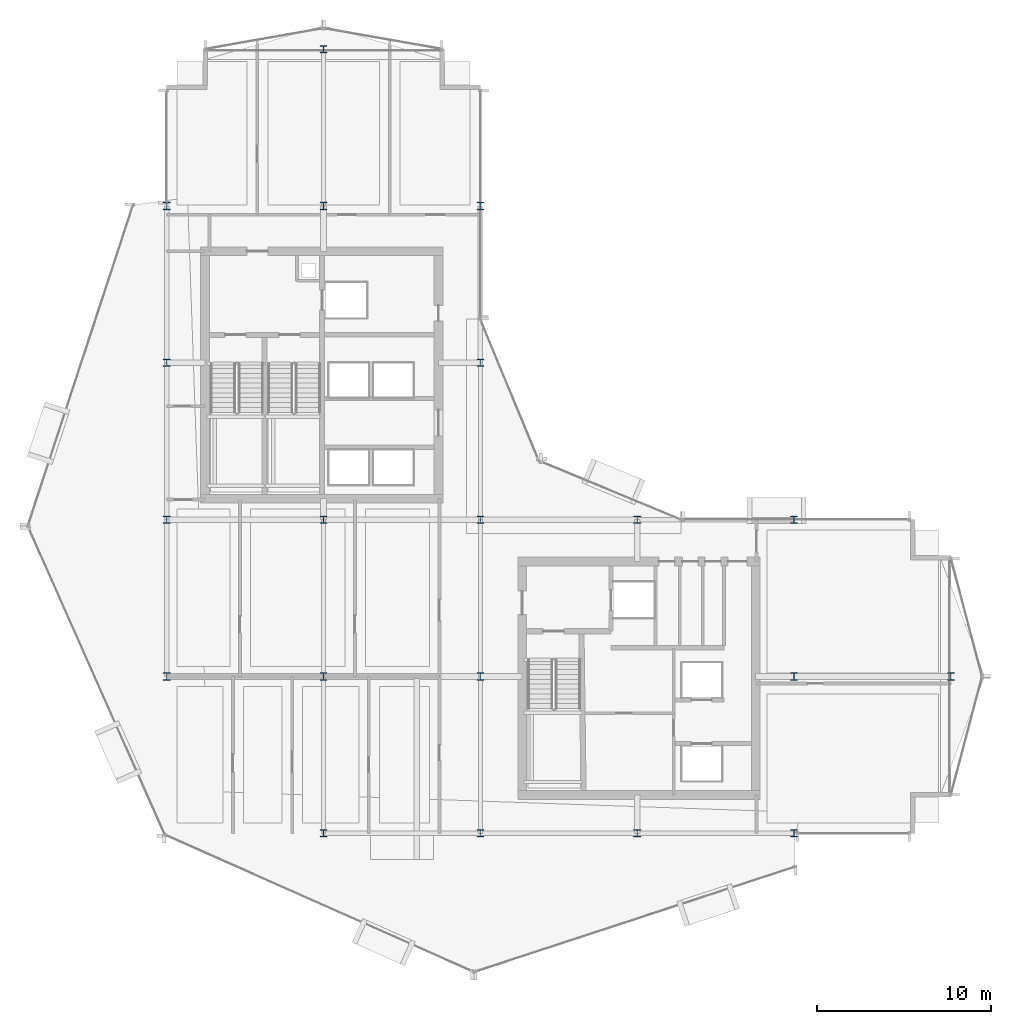
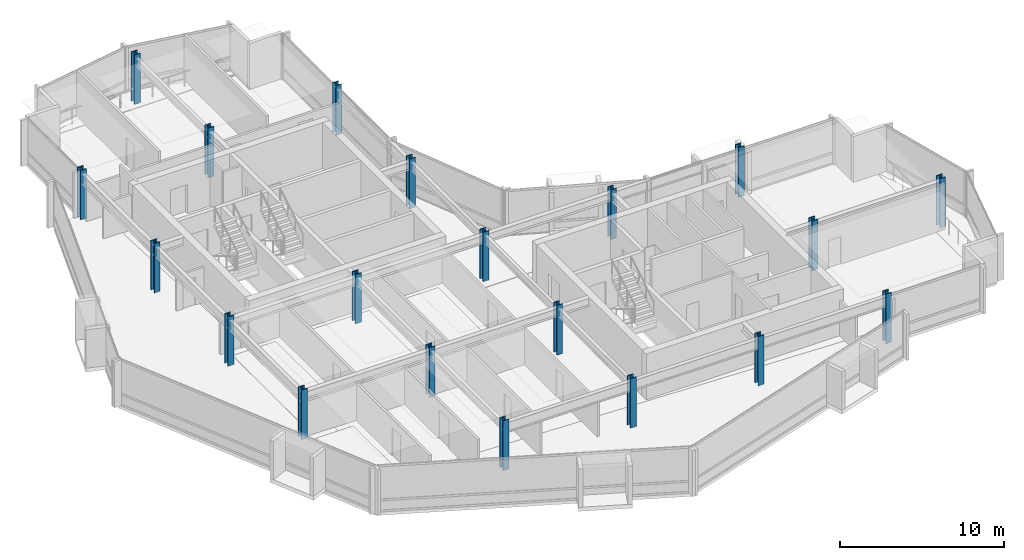
# One storey, part 1 of 28: 20 columns.
"""IFC4 building model written with IfcOpenShell, lengths in metres."""

from ifc_helpers import new_model, si_unit, direction, frame, origin, origin_2d, place, context, subcontext, project, spatial, i_section, extrude, material, material_profile, profile_set, type_object, element, save


model = new_model("IFC4")

# Units and contexts
model_context = context("Model", 3, precision=1e-05, world=origin(), true_north=direction((0.0, 1.0)))
body_context = subcontext(model_context, "Body", "Model", "MODEL_VIEW")
ifc_project = project(units=[si_unit("LENGTHUNIT", "METRE"), si_unit("AREAUNIT", "SQUARE_METRE"), si_unit("VOLUMEUNIT", "CUBIC_METRE"), si_unit("PLANEANGLEUNIT", "RADIAN"), si_unit("MASSUNIT", "GRAM", prefix="KILO")], contexts=[model_context])

# Site, building, storey
site_placement = place(None, origin())
site = spatial("IfcSite", under=ifc_project, at=site_placement, CompositionType="ELEMENT")
building_placement = place(site_placement, origin())
building = spatial("IfcBuilding", under=site, at=building_placement, Name="Solvaryn Broadcast Tower", CompositionType="ELEMENT")
storey_placement = place(building_placement, frame((0.0, 0.0, 150.699951171875)))
storey = spatial("IfcBuildingStorey", under=building, at=storey_placement, Name="L37", CompositionType="ELEMENT", Elevation=150.699951171875)

# Columns
ifc_material_1 = material(Name="Steel ASTM A913 Grade 65", Category="steel")
ifc_material_profile_1 = material_profile(ifc_material_1, i_section(OverallWidth=0.412109375, OverallDepth=0.43505859375, WebThickness=0.035888671875, FlangeThickness=0.057373046875, FilletRadius=0.014892578125, at=origin_2d()))
ifc_profile_set_1 = profile_set([ifc_material_profile_1], Name="Steel ASTM A913 Grade 65")
column_type_1 = type_object("IfcColumnType", Name="COL-C06E-W14X311", PredefinedType="COLUMN", material=ifc_profile_set_1)
for number, where, z_axis, x_axis, name in (
    (1, (9.0, 18.0, 0.0), (0.0, 0.0, 1.0), (1.0, 0.0, 0.0), "L37 Column (9.0, 18.0)"),
    (2, (9.0, 27.0, 0.0), (0.0, 0.0, 1.0), (1.0, 0.0, 0.0), "L37 Column (9.0, 27.0)"),
    (3, (9.0, 36.0, 0.0), (0.0, 0.0, 1.0), (1.0, 0.0, 0.0), "L37 Column (9.0, 36.0)"),
    (4, (9.0, 45.0, 0.0), (0.0, 0.0, 1.0), (1.0, 0.0, 0.0), "L37 Column (9.0, 45.0)"),
    (5, (18.0, 9.0, 0.0), (0.0, 0.0, 1.0), (1.0, 0.0, 0.0), "L37 Column (18.0, 9.0)"),
    (6, (18.0, 54.0, 0.0), (0.0, 0.0, 1.0), (1.0, 0.0, 0.0), "L37 Column (18.0, 54.0)"),
    (7, (27.0, 9.0, 0.0), (0.0, 0.0, 1.0), (1.0, 0.0, 0.0), "L37 Column (27.0, 9.0)"),
    (8, (27.0, 36.0, 0.0), (0.0, 0.0, 1.0), (1.0, 0.0, 0.0), "L37 Column (27.0, 36.0)"),
    (9, (27.0, 45.0, 0.0), (0.0, 0.0, 1.0), (1.0, 0.0, 0.0), "L37 Column (27.0, 45.0)"),
    (10, (36.0, 9.0, 0.0), (0.0, 0.0, 1.0), (1.0, 0.0, 0.0), "L37 Column (36.0, 9.0)"),
    (11, (36.0, 27.0, 0.0), (0.0, 0.0, 1.0), (1.0, 0.0, 0.0), "L37 Column (36.0, 27.0)"),
    (12, (45.0, 9.0, 0.0), (0.0, 0.0, 1.0), (1.0, 0.0, 0.0), "L37 Column (45.0, 9.0)"),
    (13, (45.0, 27.0, 0.0), (0.0, 0.0, 1.0), (1.0, 0.0, 0.0), "L37 Column (45.0, 27.0)"),
    (14, (54.0, 18.0, 0.0), (0.0, 0.0, 1.0), (1.0, 0.0, 0.0), "L37 Column (54.0, 18.0)"),
):
    element("IfcColumn", number, at=place(storey_placement, frame(where, z_axis=z_axis, x_axis=x_axis)), inside=storey, type_object=column_type_1, Name=name, PredefinedType="COLUMN", context=body_context, shape_type="SweptSolid", body=[
        extrude(i_section(OverallWidth=0.412109375, OverallDepth=0.43505859375, WebThickness=0.035888671875, FlangeThickness=0.057373046875, FilletRadius=0.014892578125, at=origin_2d()), origin(), (0.0, 0.0, 1.0), 3.699951171875),
    ])
ifc_material_2 = material(Name="Steel ASTM A913 Grade 65", Category="steel")
ifc_material_profile_2 = material_profile(ifc_material_2, i_section(OverallWidth=0.412109375, OverallDepth=0.43505859375, WebThickness=0.035888671875, FlangeThickness=0.057373046875, FilletRadius=0.014892578125, at=origin_2d()))
ifc_profile_set_2 = profile_set([ifc_material_profile_2], Name="Steel ASTM A913 Grade 65")
column_type_2 = type_object("IfcColumnType", Name="COL-C06I-W14X311", PredefinedType="COLUMN", material=ifc_profile_set_2)
for number, where, z_axis, x_axis, name in (
    (15, (18.0, 18.0, 0.0), (0.0, 0.0, 1.0), (1.0, 0.0, 0.0), "L37 Column (18.0, 18.0)"),
    (16, (18.0, 27.0, 0.0), (0.0, 0.0, 1.0), (1.0, 0.0, 0.0), "L37 Column (18.0, 27.0)"),
    (17, (18.0, 45.0, 0.0), (0.0, 0.0, 1.0), (1.0, 0.0, 0.0), "L37 Column (18.0, 45.0)"),
    (18, (27.0, 18.0, 0.0), (0.0, 0.0, 1.0), (1.0, 0.0, 0.0), "L37 Column (27.0, 18.0)"),
    (19, (27.0, 27.0, 0.0), (0.0, 0.0, 1.0), (1.0, 0.0, 0.0), "L37 Column (27.0, 27.0)"),
    (20, (45.0, 18.0, 0.0), (0.0, 0.0, 1.0), (1.0, 0.0, 0.0), "L37 Column (45.0, 18.0)"),
):
    element("IfcColumn", number, at=place(storey_placement, frame(where, z_axis=z_axis, x_axis=x_axis)), inside=storey, type_object=column_type_2, Name=name, PredefinedType="COLUMN", context=body_context, shape_type="SweptSolid", body=[
        extrude(i_section(OverallWidth=0.412109375, OverallDepth=0.43505859375, WebThickness=0.035888671875, FlangeThickness=0.057373046875, FilletRadius=0.014892578125, at=origin_2d()), origin(), (0.0, 0.0, 1.0), 3.699951171875),
    ])

save(model, "model.ifc")
